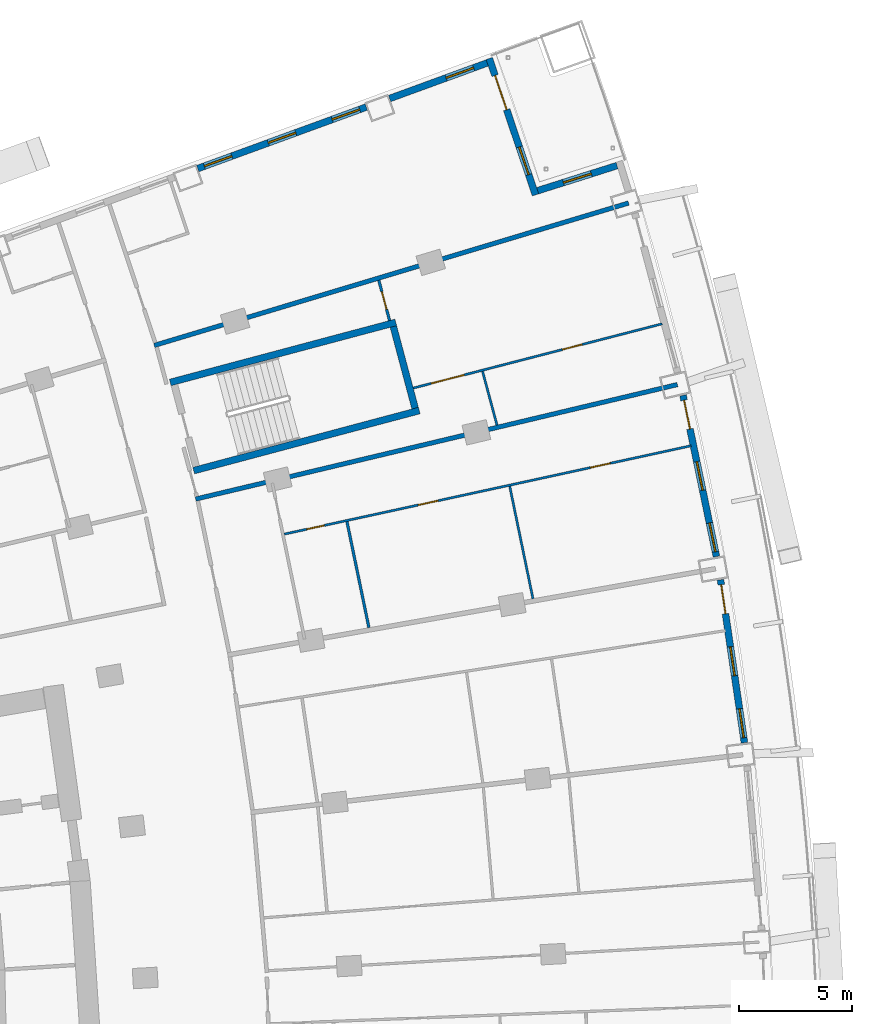
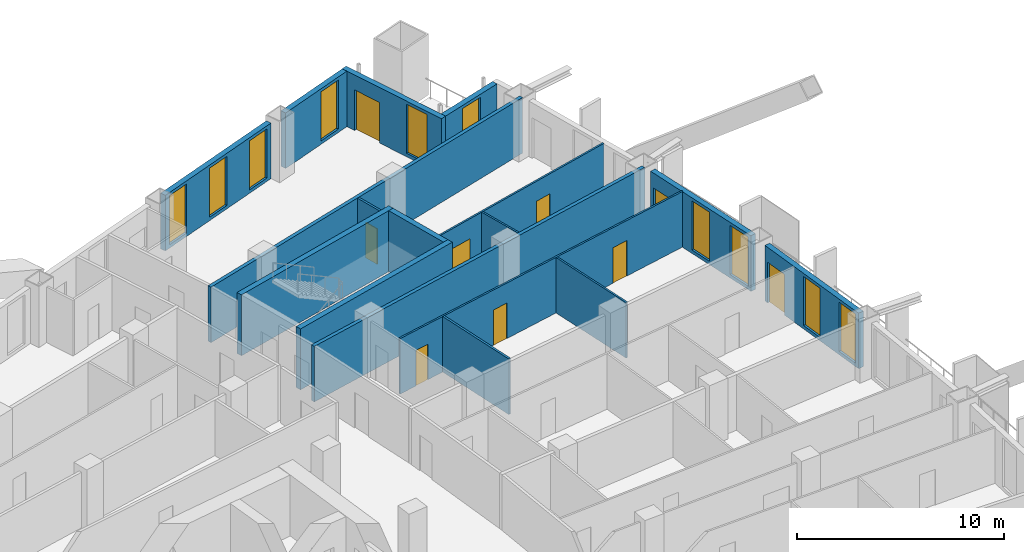
# One storey, part 21 of 25: 17 walls, 10 windows, 9 doors, 19 openings.
"""IFC4 building model written with IfcOpenShell, lengths in metres."""

from ifc_helpers import new_model, si_unit, direction, frame, frame_2d, origin, place, context, subcontext, project, spatial, rectangle, extrude, material, layer, layer_set, type_object, element, fill, save


model = new_model("IFC4")

# Units and contexts
model_context = context("Model", 3, precision=1e-05, world=origin(), true_north=direction((0.0, 1.0)))
body_context = subcontext(model_context, "Body", "Model", "MODEL_VIEW")
ifc_project = project(units=[si_unit("LENGTHUNIT", "METRE"), si_unit("AREAUNIT", "SQUARE_METRE"), si_unit("VOLUMEUNIT", "CUBIC_METRE"), si_unit("PLANEANGLEUNIT", "RADIAN"), si_unit("MASSUNIT", "GRAM", prefix="KILO")], contexts=[model_context])

# Site, building, storey
site_placement = place(None, origin())
site = spatial("IfcSite", under=ifc_project, at=site_placement, CompositionType="ELEMENT")
building_placement = place(site_placement, origin())
building = spatial("IfcBuilding", under=site, at=building_placement, Name="Alderwake Tower", CompositionType="ELEMENT")
storey_placement = place(building_placement, frame((0.0, 0.0, 42.800048828125)))
storey = spatial("IfcBuildingStorey", under=building, at=storey_placement, Name="L09", CompositionType="ELEMENT", Elevation=42.800048828125)

# Walls
ifc_material_1 = material(Name="Concrete C70/85", Category="concrete")
ifc_layer_1 = layer(ifc_material_1, 0.300048828125)
ifc_layer_set_1 = layer_set([ifc_layer_1], Name="Core wall stair enclosure 300 C70-85")
wall_type_1 = type_object("IfcWallType", Name="Core wall stair enclosure 300 C70-85", PredefinedType="SHEAR", material=ifc_layer_set_1)
for number, where, z_axis, x_axis, name in (
    (1, (36.71142578125, 94.182373046875, 0.0), (0.0, 0.0, 1.0), (0.966309214305, 0.257383958996, 0.0), "Core wall CW.082"),
    (2, (37.75390625, 90.268798828125, 0.0), (0.0, 0.0, 1.0), (0.966309214305, 0.257383958996, 0.0), "Core wall CW.084"),
):
    element("IfcWall", number, at=place(storey_placement, frame(where, z_axis=z_axis, x_axis=x_axis)), inside=storey, type_object=wall_type_1, Name=name, PredefinedType="SHEAR", context=body_context, shape_type="SweptSolid", body=[
        extrude(rectangle(XDim=10.360107421875, YDim=0.300048828125, at=frame_2d((5.18017578125, 0.0))), origin(), (0.0, 0.0, 1.0), 3.599853515625),
    ])
wall_1_placement = place(storey_placement, frame((47.581298828125, 93.041748046875, 0.0), z_axis=(0.0, 0.0, 1.0), x_axis=(-0.257366821694, 0.966313778796, 0.0)))
element("IfcWall", 3, at=wall_1_placement, inside=storey, type_object=wall_type_1, Name="Core wall CW.081", PredefinedType="SHEAR", context=body_context, shape_type="SweptSolid", body=[
    extrude(rectangle(XDim=3.749755859375, YDim=0.300048828125, at=frame_2d((1.875, 0.0))), origin(), (0.0, 0.0, 1.0), 3.599853515625),
])

# Wall, openings, door, windows
ifc_material_2 = material(Name="Precast concrete C50/60 spandrel panel", Category="concrete")
ifc_layer_2 = layer(ifc_material_2, 0.300048828125)
ifc_layer_set_2 = layer_set([ifc_layer_2], Name="External wall EW1 Precast concrete C50/60 spandrel")
wall_type_2 = type_object("IfcWallType", Name="External wall EW1 Precast concrete C50/60 spandrel", PredefinedType="SOLIDWALL", material=ifc_layer_set_2)
wall_2_placement = place(storey_placement, frame((62.199951171875, 78.193603515625, 0.0), z_axis=(0.0, 0.0, 1.0), x_axis=(-0.145326596696, 0.989383737633, 0.0)))
wall_2 = element("IfcWall", 4, at=wall_2_placement, inside=storey, type_object=wall_type_2, Name="External wall 19", PredefinedType="SOLIDWALL", context=body_context, shape_type="SweptSolid", body=[
    extrude(rectangle(XDim=7.30615234375, YDim=0.300048828125, at=frame_2d((3.653076171875, 0.0))), origin(), (0.0, 0.0, 1.0), 3.280029296875),
])
opening_1_placement = place(wall_2_placement, frame((0.222900390625, 0.0, 0.199951171875)))
opening_1 = element("IfcOpeningElement", 5, at=opening_1_placement, cuts=wall_2, Name="Opening W1", PredefinedType="OPENING", context=body_context, shape_type="SweptSolid", body=[
    extrude(rectangle(XDim=1.300048828125, YDim=2.89990234375, at=frame_2d((0.64990234375, 1.449951171875))), frame((0.0, 0.159912109375, 0.0), z_axis=(0.0, -1.0, 0.0), x_axis=(1.0, 0.0, 0.0)), (0.0, 0.0, 1.0), 0.320068359375),
])
opening_2_placement = place(wall_2_placement, frame((3.0029296875, 0.0, 0.199951171875)))
opening_2 = element("IfcOpeningElement", 6, at=opening_2_placement, cuts=wall_2, Name="Opening W1", PredefinedType="OPENING", context=body_context, shape_type="SweptSolid", body=[
    extrude(rectangle(XDim=1.300048828125, YDim=2.89990234375, at=frame_2d((0.64990234375, 1.449951171875))), frame((0.0, 0.159912109375, 0.0), z_axis=(0.0, -1.0, 0.0), x_axis=(1.0, 0.0, 0.0)), (0.0, 0.0, 1.0), 0.320068359375),
])
opening_3_placement = place(wall_2_placement, frame((5.783203125, 0.0, 0.0)))
opening_3 = element("IfcOpeningElement", 7, at=opening_3_placement, cuts=wall_2, Name="Opening D10", PredefinedType="OPENING", context=body_context, shape_type="SweptSolid", body=[
    extrude(rectangle(XDim=1.300048828125, YDim=2.39990234375, at=frame_2d((0.64990234375, 1.199951171875))), frame((0.0, 0.159912109375, 0.0), z_axis=(0.0, -1.0, 0.0), x_axis=(1.0, 0.0, 0.0)), (0.0, 0.0, 1.0), 0.320068359375),
])
ifc_material_3 = material(Name="Bronze tinted glass in aluminium frame", Category="aluminium")
door_type_1 = type_object("IfcDoorType", Name="Balcony door BD sliding", OperationType="SLIDING_TO_LEFT", PredefinedType="DOOR", material=ifc_material_3)
door_1_placement = place(opening_3_placement, origin())
door_1 = element("IfcDoor", 8, at=door_1_placement, inside=storey, type_object=door_type_1, Name="Door D10", OperationType="SLIDING_TO_LEFT", OverallHeight=2.39990234375, OverallWidth=1.300048828125, PredefinedType="DOOR", context=body_context, shape_type="SweptSolid", body=[
    extrude(rectangle(XDim=1.300048828125, YDim=2.39990234375, at=frame_2d((0.64990234375, 1.199951171875))), frame((0.0, 0.02490234375, 0.0), z_axis=(0.0, -1.0, 0.0), x_axis=(1.0, 0.0, 0.0)), (0.0, 0.0, 1.0), 0.050048828125),
])
fill(opening_3, door_1)
ifc_material_4 = material(Name="Bronze tinted glass in aluminium frame", Category="aluminium")
window_type = type_object("IfcWindowType", Name="Window W1 tall fixed and vent", PartitioningType="DOUBLE_PANEL_VERTICAL", PredefinedType="WINDOW", material=ifc_material_4)
window_1_placement = place(opening_1_placement, origin())
window_1 = element("IfcWindow", 9, at=window_1_placement, inside=storey, type_object=window_type, Name="Window W1 tall fixed and vent", OverallHeight=2.89990234375, OverallWidth=1.300048828125, PartitioningType="DOUBLE_PANEL_VERTICAL", PredefinedType="WINDOW", context=body_context, shape_type="SweptSolid", body=[
    extrude(rectangle(XDim=1.300048828125, YDim=2.89990234375, at=frame_2d((0.64990234375, 1.449951171875))), frame((0.0, 0.030029296875, 0.0), z_axis=(0.0, -1.0, 0.0), x_axis=(1.0, 0.0, 0.0)), (0.0, 0.0, 1.0), 0.06005859375),
])
fill(opening_1, window_1)
window_2_placement = place(opening_2_placement, origin())
window_2 = element("IfcWindow", 10, at=window_2_placement, inside=storey, type_object=window_type, Name="Window W1 tall fixed and vent", OverallHeight=2.89990234375, OverallWidth=1.300048828125, PartitioningType="DOUBLE_PANEL_VERTICAL", PredefinedType="WINDOW", context=body_context, shape_type="SweptSolid", body=[
    extrude(rectangle(XDim=1.300048828125, YDim=2.89990234375, at=frame_2d((0.64990234375, 1.449951171875))), frame((0.0, 0.030029296875, 0.0), z_axis=(0.0, -1.0, 0.0), x_axis=(1.0, 0.0, 0.0)), (0.0, 0.0, 1.0), 0.06005859375),
])
fill(opening_2, window_2)

wall_3_placement = place(storey_placement, frame((60.955810546875, 86.45458984375, 0.0), z_axis=(0.0, 0.0, 1.0), x_axis=(-0.202769138353, 0.979226570581, 0.0)))
wall_3 = element("IfcWall", 11, at=wall_3_placement, inside=storey, type_object=wall_type_2, Name="External wall 20", PredefinedType="SOLIDWALL", context=body_context, shape_type="SweptSolid", body=[
    extrude(rectangle(XDim=7.30615234375, YDim=0.300048828125, at=frame_2d((3.653076171875, 0.0))), origin(), (0.0, 0.0, 1.0), 3.280029296875),
])
opening_4_placement = place(wall_3_placement, frame((0.222900390625, 0.0, 0.199951171875)))
opening_4 = element("IfcOpeningElement", 12, at=opening_4_placement, cuts=wall_3, Name="Opening W1", PredefinedType="OPENING", context=body_context, shape_type="SweptSolid", body=[
    extrude(rectangle(XDim=1.300048828125, YDim=2.89990234375, at=frame_2d((0.64990234375, 1.449951171875))), frame((0.0, 0.159912109375, 0.0), z_axis=(0.0, -1.0, 0.0), x_axis=(1.0, 0.0, 0.0)), (0.0, 0.0, 1.0), 0.320068359375),
])
opening_5_placement = place(wall_3_placement, frame((3.0029296875, 0.0, 0.199951171875)))
opening_5 = element("IfcOpeningElement", 13, at=opening_5_placement, cuts=wall_3, Name="Opening W1", PredefinedType="OPENING", context=body_context, shape_type="SweptSolid", body=[
    extrude(rectangle(XDim=1.300048828125, YDim=2.89990234375, at=frame_2d((0.64990234375, 1.449951171875))), frame((0.0, 0.159912109375, 0.0), z_axis=(0.0, -1.0, 0.0), x_axis=(1.0, 0.0, 0.0)), (0.0, 0.0, 1.0), 0.320068359375),
])
opening_6_placement = place(wall_3_placement, frame((5.783203125, 0.0, 0.0)))
opening_6 = element("IfcOpeningElement", 14, at=opening_6_placement, cuts=wall_3, Name="Opening D11", PredefinedType="OPENING", context=body_context, shape_type="SweptSolid", body=[
    extrude(rectangle(XDim=1.300048828125, YDim=2.39990234375, at=frame_2d((0.64990234375, 1.199951171875))), frame((0.0, 0.159912109375, 0.0), z_axis=(0.0, -1.0, 0.0), x_axis=(1.0, 0.0, 0.0)), (0.0, 0.0, 1.0), 0.320068359375),
])
door_2_placement = place(opening_6_placement, origin())
door_2 = element("IfcDoor", 15, at=door_2_placement, inside=storey, type_object=door_type_1, Name="Door D11", OperationType="SLIDING_TO_LEFT", OverallHeight=2.39990234375, OverallWidth=1.300048828125, PredefinedType="DOOR", context=body_context, shape_type="SweptSolid", body=[
    extrude(rectangle(XDim=1.300048828125, YDim=2.39990234375, at=frame_2d((0.64990234375, 1.199951171875))), frame((0.0, 0.02490234375, 0.0), z_axis=(0.0, -1.0, 0.0), x_axis=(1.0, 0.0, 0.0)), (0.0, 0.0, 1.0), 0.050048828125),
])
fill(opening_6, door_2)
window_3_placement = place(opening_4_placement, origin())
window_3 = element("IfcWindow", 16, at=window_3_placement, inside=storey, type_object=window_type, Name="Window W1 tall fixed and vent", OverallHeight=2.89990234375, OverallWidth=1.300048828125, PartitioningType="DOUBLE_PANEL_VERTICAL", PredefinedType="WINDOW", context=body_context, shape_type="SweptSolid", body=[
    extrude(rectangle(XDim=1.300048828125, YDim=2.89990234375, at=frame_2d((0.64990234375, 1.449951171875))), frame((0.0, 0.030029296875, 0.0), z_axis=(0.0, -1.0, 0.0), x_axis=(1.0, 0.0, 0.0)), (0.0, 0.0, 1.0), 0.06005859375),
])
fill(opening_4, window_3)
window_4_placement = place(opening_5_placement, origin())
window_4 = element("IfcWindow", 17, at=window_4_placement, inside=storey, type_object=window_type, Name="Window W1 tall fixed and vent", OverallHeight=2.89990234375, OverallWidth=1.300048828125, PartitioningType="DOUBLE_PANEL_VERTICAL", PredefinedType="WINDOW", context=body_context, shape_type="SweptSolid", body=[
    extrude(rectangle(XDim=1.300048828125, YDim=2.89990234375, at=frame_2d((0.64990234375, 1.449951171875))), frame((0.0, 0.030029296875, 0.0), z_axis=(0.0, -1.0, 0.0), x_axis=(1.0, 0.0, 0.0)), (0.0, 0.0, 1.0), 0.06005859375),
])
fill(opening_5, window_4)

# Wall, opening, window
ifc_material_5 = material(Name="Bronze metal cladding on lightweight framing")
ifc_layer_3 = layer(ifc_material_5, 0.300048828125)
ifc_layer_set_3 = layer_set([ifc_layer_3], Name="External wall EW2 bronze metal cladding")
wall_type_3 = type_object("IfcWallType", Name="External wall EW2 bronze metal cladding", PredefinedType="SOLIDWALL", material=ifc_layer_set_3)
wall_4_placement = place(storey_placement, frame((56.544677734375, 103.80810546875, 0.0), z_axis=(0.0, 0.0, 1.0), x_axis=(-0.953466730622, -0.301498248083, 0.0)))
wall_4 = element("IfcWall", 18, at=wall_4_placement, inside=storey, type_object=wall_type_3, Name="External wall 23", PredefinedType="SOLIDWALL", context=body_context, shape_type="SweptSolid", body=[
    extrude(rectangle(XDim=3.694091796875, YDim=0.300048828125, at=frame_2d((1.84716796875, 0.0))), origin(), (0.0, 0.0, 1.0), 3.280029296875),
])
opening_7_placement = place(wall_4_placement, frame((1.197021484375, 0.0, 0.199951171875)))
opening_7 = element("IfcOpeningElement", 19, at=opening_7_placement, cuts=wall_4, Name="Opening W1", PredefinedType="OPENING", context=body_context, shape_type="SweptSolid", body=[
    extrude(rectangle(XDim=1.300048828125, YDim=2.89990234375, at=frame_2d((0.64990234375, 1.449951171875))), frame((0.0, 0.159912109375, 0.0), z_axis=(0.0, -1.0, 0.0), x_axis=(1.0, 0.0, 0.0)), (0.0, 0.0, 1.0), 0.320068359375),
])
window_5_placement = place(opening_7_placement, origin())
window_5 = element("IfcWindow", 20, at=window_5_placement, inside=storey, type_object=window_type, Name="Window W1 tall fixed and vent", OverallHeight=2.89990234375, OverallWidth=1.300048828125, PartitioningType="DOUBLE_PANEL_VERTICAL", PredefinedType="WINDOW", context=body_context, shape_type="SweptSolid", body=[
    extrude(rectangle(XDim=1.300048828125, YDim=2.89990234375, at=frame_2d((0.64990234375, 1.449951171875))), frame((0.0, 0.030029296875, 0.0), z_axis=(0.0, -1.0, 0.0), x_axis=(1.0, 0.0, 0.0)), (0.0, 0.0, 1.0), 0.06005859375),
])
fill(opening_7, window_5)

# Wall, openings, door, window
wall_5_placement = place(storey_placement, frame((52.927490234375, 102.507080078125, 0.0), z_axis=(0.0, 0.0, 1.0), x_axis=(-0.320933594425, 0.947101698853, 0.0)))
wall_5 = element("IfcWall", 21, at=wall_5_placement, inside=storey, type_object=wall_type_3, Name="External wall 24", PredefinedType="SOLIDWALL", context=body_context, shape_type="SweptSolid", body=[
    extrude(rectangle(XDim=6.3916015625, YDim=0.300048828125, at=frame_2d((3.19580078125, 0.0))), origin(), (0.0, 0.0, 1.0), 3.280029296875),
])
opening_8_placement = place(wall_5_placement, frame((0.947998046875, 0.0, 0.199951171875)))
opening_8 = element("IfcOpeningElement", 22, at=opening_8_placement, cuts=wall_5, Name="Opening W1", PredefinedType="OPENING", context=body_context, shape_type="SweptSolid", body=[
    extrude(rectangle(XDim=1.300048828125, YDim=2.89990234375, at=frame_2d((0.64990234375, 1.449951171875))), frame((0.0, 0.159912109375, 0.0), z_axis=(0.0, -1.0, 0.0), x_axis=(1.0, 0.0, 0.0)), (0.0, 0.0, 1.0), 0.320068359375),
])
opening_9_placement = place(wall_5_placement, frame((3.993896484375, 0.0, 0.0)))
opening_9 = element("IfcOpeningElement", 23, at=opening_9_placement, cuts=wall_5, Name="Opening D13", PredefinedType="OPENING", context=body_context, shape_type="SweptSolid", body=[
    extrude(rectangle(XDim=1.60009765625, YDim=2.39990234375, at=frame_2d((0.800048828125, 1.199951171875))), frame((0.0, 0.159912109375, 0.0), z_axis=(0.0, -1.0, 0.0), x_axis=(1.0, 0.0, 0.0)), (0.0, 0.0, 1.0), 0.320068359375),
])
ifc_material_6 = material(Name="Bronze tinted glass in aluminium frame", Category="aluminium")
door_type_2 = type_object("IfcDoorType", Name="Terrace door TD sliding", OperationType="SLIDING_TO_LEFT", PredefinedType="DOOR", material=ifc_material_6)
door_3_placement = place(opening_9_placement, origin())
door_3 = element("IfcDoor", 24, at=door_3_placement, inside=storey, type_object=door_type_2, Name="Door D13", OperationType="SLIDING_TO_LEFT", OverallHeight=2.39990234375, OverallWidth=1.60009765625, PredefinedType="DOOR", context=body_context, shape_type="SweptSolid", body=[
    extrude(rectangle(XDim=1.60009765625, YDim=2.39990234375, at=frame_2d((0.800048828125, 1.199951171875))), frame((0.0, 0.02490234375, 0.0), z_axis=(0.0, -1.0, 0.0), x_axis=(1.0, 0.0, 0.0)), (0.0, 0.0, 1.0), 0.050048828125),
])
fill(opening_9, door_3)
window_6_placement = place(opening_8_placement, origin())
window_6 = element("IfcWindow", 25, at=window_6_placement, inside=storey, type_object=window_type, Name="Window W1 tall fixed and vent", OverallHeight=2.89990234375, OverallWidth=1.300048828125, PartitioningType="DOUBLE_PANEL_VERTICAL", PredefinedType="WINDOW", context=body_context, shape_type="SweptSolid", body=[
    extrude(rectangle(XDim=1.300048828125, YDim=2.89990234375, at=frame_2d((0.64990234375, 1.449951171875))), frame((0.0, 0.030029296875, 0.0), z_axis=(0.0, -1.0, 0.0), x_axis=(1.0, 0.0, 0.0)), (0.0, 0.0, 1.0), 0.06005859375),
])
fill(opening_8, window_6)

# Wall, opening, window
wall_6_placement = place(storey_placement, frame((50.78369140625, 108.3671875, 0.0), z_axis=(0.0, 0.0, 1.0), x_axis=(-0.939364626907, -0.342919958177, 0.0)))
wall_6 = element("IfcWall", 26, at=wall_6_placement, inside=storey, type_object=wall_type_3, Name="External wall 25", PredefinedType="SOLIDWALL", context=body_context, shape_type="SweptSolid", body=[
    extrude(rectangle(XDim=4.61279296875, YDim=0.300048828125, at=frame_2d((2.306396484375, 0.0))), origin(), (0.0, 0.0, 1.0), 3.280029296875),
])
opening_10_placement = place(wall_6_placement, frame((0.64111328125, 0.0, 0.199951171875)))
opening_10 = element("IfcOpeningElement", 27, at=opening_10_placement, cuts=wall_6, Name="Opening W1", PredefinedType="OPENING", context=body_context, shape_type="SweptSolid", body=[
    extrude(rectangle(XDim=1.300048828125, YDim=2.89990234375, at=frame_2d((0.64990234375, 1.449951171875))), frame((0.0, 0.159912109375, 0.0), z_axis=(0.0, -1.0, 0.0), x_axis=(1.0, 0.0, 0.0)), (0.0, 0.0, 1.0), 0.320068359375),
])
window_7_placement = place(opening_10_placement, origin())
window_7 = element("IfcWindow", 28, at=window_7_placement, inside=storey, type_object=window_type, Name="Window W1 tall fixed and vent", OverallHeight=2.89990234375, OverallWidth=1.300048828125, PartitioningType="DOUBLE_PANEL_VERTICAL", PredefinedType="WINDOW", context=body_context, shape_type="SweptSolid", body=[
    extrude(rectangle(XDim=1.300048828125, YDim=2.89990234375, at=frame_2d((0.64990234375, 1.449951171875))), frame((0.0, 0.030029296875, 0.0), z_axis=(0.0, -1.0, 0.0), x_axis=(1.0, 0.0, 0.0)), (0.0, 0.0, 1.0), 0.06005859375),
])
fill(opening_10, window_7)

# Wall, openings, windows
wall_7_placement = place(storey_placement, frame((45.41357421875, 106.406982421875, 0.0), z_axis=(0.0, 0.0, 1.0), x_axis=(-0.939370174945, -0.34290475999, 0.0)))
wall_7 = element("IfcWall", 29, at=wall_7_placement, inside=storey, type_object=wall_type_3, Name="External wall 26", PredefinedType="SOLIDWALL", context=body_context, shape_type="SweptSolid", body=[
    extrude(rectangle(XDim=7.962646484375, YDim=0.300048828125, at=frame_2d((3.9814453125, 0.0))), origin(), (0.0, 0.0, 1.0), 3.280029296875),
])
opening_11_placement = place(wall_7_placement, frame((0.30908203125, 0.0, 0.199951171875)))
opening_11 = element("IfcOpeningElement", 30, at=opening_11_placement, cuts=wall_7, Name="Opening W1", PredefinedType="OPENING", context=body_context, shape_type="SweptSolid", body=[
    extrude(rectangle(XDim=1.300048828125, YDim=2.89990234375, at=frame_2d((0.64990234375, 1.449951171875))), frame((0.0, 0.159912109375, 0.0), z_axis=(0.0, -1.0, 0.0), x_axis=(1.0, 0.0, 0.0)), (0.0, 0.0, 1.0), 0.320068359375),
])
opening_12_placement = place(wall_7_placement, frame((3.331298828125, 0.0, 0.199951171875)))
opening_12 = element("IfcOpeningElement", 31, at=opening_12_placement, cuts=wall_7, Name="Opening W1", PredefinedType="OPENING", context=body_context, shape_type="SweptSolid", body=[
    extrude(rectangle(XDim=1.300048828125, YDim=2.89990234375, at=frame_2d((0.64990234375, 1.449951171875))), frame((0.0, 0.159912109375, 0.0), z_axis=(0.0, -1.0, 0.0), x_axis=(1.0, 0.0, 0.0)), (0.0, 0.0, 1.0), 0.320068359375),
])
opening_13_placement = place(wall_7_placement, frame((6.353515625, 0.0, 0.199951171875)))
opening_13 = element("IfcOpeningElement", 32, at=opening_13_placement, cuts=wall_7, Name="Opening W1", PredefinedType="OPENING", context=body_context, shape_type="SweptSolid", body=[
    extrude(rectangle(XDim=1.300048828125, YDim=2.89990234375, at=frame_2d((0.64990234375, 1.449951171875))), frame((0.0, 0.159912109375, 0.0), z_axis=(0.0, -1.0, 0.0), x_axis=(1.0, 0.0, 0.0)), (0.0, 0.0, 1.0), 0.320068359375),
])
window_8_placement = place(opening_11_placement, origin())
window_8 = element("IfcWindow", 33, at=window_8_placement, inside=storey, type_object=window_type, Name="Window W1 tall fixed and vent", OverallHeight=2.89990234375, OverallWidth=1.300048828125, PartitioningType="DOUBLE_PANEL_VERTICAL", PredefinedType="WINDOW", context=body_context, shape_type="SweptSolid", body=[
    extrude(rectangle(XDim=1.300048828125, YDim=2.89990234375, at=frame_2d((0.64990234375, 1.449951171875))), frame((0.0, 0.030029296875, 0.0), z_axis=(0.0, -1.0, 0.0), x_axis=(1.0, 0.0, 0.0)), (0.0, 0.0, 1.0), 0.06005859375),
])
fill(opening_11, window_8)
window_9_placement = place(opening_12_placement, origin())
window_9 = element("IfcWindow", 34, at=window_9_placement, inside=storey, type_object=window_type, Name="Window W1 tall fixed and vent", OverallHeight=2.89990234375, OverallWidth=1.300048828125, PartitioningType="DOUBLE_PANEL_VERTICAL", PredefinedType="WINDOW", context=body_context, shape_type="SweptSolid", body=[
    extrude(rectangle(XDim=1.300048828125, YDim=2.89990234375, at=frame_2d((0.64990234375, 1.449951171875))), frame((0.0, 0.030029296875, 0.0), z_axis=(0.0, -1.0, 0.0), x_axis=(1.0, 0.0, 0.0)), (0.0, 0.0, 1.0), 0.06005859375),
])
fill(opening_12, window_9)
window_10_placement = place(opening_13_placement, origin())
window_10 = element("IfcWindow", 35, at=window_10_placement, inside=storey, type_object=window_type, Name="Window W1 tall fixed and vent", OverallHeight=2.89990234375, OverallWidth=1.300048828125, PartitioningType="DOUBLE_PANEL_VERTICAL", PredefinedType="WINDOW", context=body_context, shape_type="SweptSolid", body=[
    extrude(rectangle(XDim=1.300048828125, YDim=2.89990234375, at=frame_2d((0.64990234375, 1.449951171875))), frame((0.0, 0.030029296875, 0.0), z_axis=(0.0, -1.0, 0.0), x_axis=(1.0, 0.0, 0.0)), (0.0, 0.0, 1.0), 0.06005859375),
])
fill(opening_13, window_10)

# Walls
ifc_material_7 = material(Name="Dense block masonry wall", Category="masonry")
ifc_layer_4 = layer(ifc_material_7, 0.199951171875)
ifc_layer_set_4 = layer_set([ifc_layer_4], Name="Party wall 200")
wall_type_4 = type_object("IfcWallType", Name="Party wall 200", PredefinedType="SOLIDWALL", material=ifc_layer_set_4)
wall_8_placement = place(storey_placement, frame((37.839111328125, 89.006591796875, 0.0), z_axis=(0.0, 0.0, 1.0), x_axis=(0.972896955684, 0.231239083247, 0.0)))
element("IfcWall", 36, at=wall_8_placement, inside=storey, type_object=wall_type_4, Name="WL/L09/W05", PredefinedType="SOLIDWALL", context=body_context, shape_type="SweptSolid", body=[
    extrude(rectangle(XDim=21.9794921875, YDim=0.199951171875, at=frame_2d((10.98974609375, 0.0))), origin(), (0.0, 0.0, 1.0), 3.280029296875),
])
wall_9_placement = place(storey_placement, frame((57.056884765625, 102.14697265625, 0.0), z_axis=(0.0, 0.0, 1.0), x_axis=(-0.957772159576, -0.287528242685, 0.0)))
element("IfcWall", 37, at=wall_9_placement, inside=storey, type_object=wall_type_4, Name="WL/L09/W07", PredefinedType="SOLIDWALL", context=body_context, shape_type="SweptSolid", body=[
    extrude(rectangle(XDim=21.980712890625, YDim=0.199951171875, at=frame_2d((10.990234375, 0.0))), origin(), (0.0, 0.0, 1.0), 3.280029296875),
])

# Wall, openings, doors
ifc_material_8 = material(Name="Gypsum board on metal studs")
ifc_layer_5 = layer(ifc_material_8, 0.10009765625)
ifc_layer_set_5 = layer_set([ifc_layer_5], Name="Unit partition 100")
wall_type_5 = type_object("IfcWallType", Name="Unit partition 100", PredefinedType="PARTITIONING", material=ifc_layer_set_5)
wall_10_placement = place(storey_placement, frame((59.8349609375, 91.3740234375, 0.0), z_axis=(0.0, 0.0, 1.0), x_axis=(-0.977210328397, -0.212273347536, 0.0)))
wall_10 = element("IfcWall", 38, at=wall_10_placement, inside=storey, type_object=wall_type_5, Name="WL/L09/W73", PredefinedType="PARTITIONING", context=body_context, shape_type="SweptSolid", body=[
    extrude(rectangle(XDim=18.482421875, YDim=0.10009765625, at=frame_2d((9.2412109375, 0.0))), origin(), (0.0, 0.0, 1.0), 3.280029296875),
])
opening_14_placement = place(wall_10_placement, frame((11.498291015625, 0.0, 0.0)))
opening_14 = element("IfcOpeningElement", 39, at=opening_14_placement, cuts=wall_10, Name="Opening R02-U10.1", PredefinedType="OPENING", context=body_context, shape_type="SweptSolid", body=[
    extrude(rectangle(XDim=0.89990234375, YDim=2.10009765625, at=frame_2d((0.449951171875, 1.050048828125))), frame((0.0, 0.06005859375, 0.0), z_axis=(0.0, -1.0, 0.0), x_axis=(1.0, 0.0, 0.0)), (0.0, 0.0, 1.0), 0.1201171875),
])
opening_15_placement = place(wall_10_placement, frame((16.663330078125, 0.0, 0.0)))
opening_15 = element("IfcOpeningElement", 40, at=opening_15_placement, cuts=wall_10, Name="Opening R02-U10.4", PredefinedType="OPENING", context=body_context, shape_type="SweptSolid", body=[
    extrude(rectangle(XDim=0.800048828125, YDim=2.10009765625, at=frame_2d((0.39990234375, 1.050048828125))), frame((0.0, 0.06005859375, 0.0), z_axis=(0.0, -1.0, 0.0), x_axis=(1.0, 0.0, 0.0)), (0.0, 0.0, 1.0), 0.1201171875),
])
opening_16_placement = place(wall_10_placement, frame((3.67626953125, 0.0, 0.0)))
opening_16 = element("IfcOpeningElement", 41, at=opening_16_placement, cuts=wall_10, Name="Opening R02-U10.5", PredefinedType="OPENING", context=body_context, shape_type="SweptSolid", body=[
    extrude(rectangle(XDim=0.89990234375, YDim=2.10009765625, at=frame_2d((0.449951171875, 1.050048828125))), frame((0.0, 0.06005859375, 0.0), z_axis=(0.0, -1.0, 0.0), x_axis=(1.0, 0.0, 0.0)), (0.0, 0.0, 1.0), 0.1201171875),
])
ifc_material_9 = material(Name="Painted timber leaf", Category="wood")
door_type_3 = type_object("IfcDoorType", Name="Bathroom door 800", OperationType="SINGLE_SWING_LEFT", PredefinedType="DOOR", material=ifc_material_9)
door_4_placement = place(opening_15_placement, origin())
door_4 = element("IfcDoor", 42, at=door_4_placement, inside=storey, type_object=door_type_3, Name="DR/L09/U10.4", OperationType="SINGLE_SWING_LEFT", OverallHeight=2.10009765625, OverallWidth=0.800048828125, PredefinedType="DOOR", context=body_context, shape_type="SweptSolid", body=[
    extrude(rectangle(XDim=0.800048828125, YDim=2.10009765625, at=frame_2d((0.39990234375, 1.050048828125))), frame((0.0, 0.02490234375, 0.0), z_axis=(0.0, -1.0, 0.0), x_axis=(1.0, 0.0, 0.0)), (0.0, 0.0, 1.0), 0.050048828125),
])
fill(opening_15, door_4)
ifc_material_10 = material(Name="Painted timber leaf", Category="wood")
door_type_4 = type_object("IfcDoorType", Name="Room door 900", OperationType="SINGLE_SWING_LEFT", PredefinedType="DOOR", material=ifc_material_10)
door_5_placement = place(opening_14_placement, origin())
door_5 = element("IfcDoor", 43, at=door_5_placement, inside=storey, type_object=door_type_4, Name="DR/L09/U10.1", OperationType="SINGLE_SWING_LEFT", OverallHeight=2.10009765625, OverallWidth=0.89990234375, PredefinedType="DOOR", context=body_context, shape_type="SweptSolid", body=[
    extrude(rectangle(XDim=0.89990234375, YDim=2.10009765625, at=frame_2d((0.449951171875, 1.050048828125))), frame((0.0, 0.02490234375, 0.0), z_axis=(0.0, -1.0, 0.0), x_axis=(1.0, 0.0, 0.0)), (0.0, 0.0, 1.0), 0.050048828125),
])
fill(opening_14, door_5)
door_6_placement = place(opening_16_placement, origin())
door_6 = element("IfcDoor", 44, at=door_6_placement, inside=storey, type_object=door_type_4, Name="DR/L09/U10.5", OperationType="SINGLE_SWING_LEFT", OverallHeight=2.10009765625, OverallWidth=0.89990234375, PredefinedType="DOOR", context=body_context, shape_type="SweptSolid", body=[
    extrude(rectangle(XDim=0.89990234375, YDim=2.10009765625, at=frame_2d((0.449951171875, 1.050048828125))), frame((0.0, 0.02490234375, 0.0), z_axis=(0.0, -1.0, 0.0), x_axis=(1.0, 0.0, 0.0)), (0.0, 0.0, 1.0), 0.050048828125),
])
fill(opening_16, door_6)

wall_11_placement = place(storey_placement, frame((47.4990234375, 93.93310546875, 0.0), z_axis=(0.0, 0.0, 1.0), x_axis=(0.968247427207, 0.249993839338, 0.0)))
wall_11 = element("IfcWall", 45, at=wall_11_placement, inside=storey, type_object=wall_type_5, Name="WL/L09/W76", PredefinedType="PARTITIONING", context=body_context, shape_type="SweptSolid", body=[
    extrude(rectangle(XDim=11.411376953125, YDim=0.10009765625, at=frame_2d((5.70556640625, 0.0))), origin(), (0.0, 0.0, 1.0), 3.280029296875),
])
opening_17_placement = place(wall_11_placement, frame((0.831787109375, 0.0, 0.0)))
opening_17 = element("IfcOpeningElement", 46, at=opening_17_placement, cuts=wall_11, Name="Opening R02-U02.2", PredefinedType="OPENING", context=body_context, shape_type="SweptSolid", body=[
    extrude(rectangle(XDim=1.5, YDim=2.10009765625, at=frame_2d((0.75, 1.050048828125))), frame((0.0, 0.06005859375, 0.0), z_axis=(0.0, -1.0, 0.0), x_axis=(1.0, 0.0, 0.0)), (0.0, 0.0, 1.0), 0.1201171875),
])
opening_18_placement = place(wall_11_placement, frame((6.83740234375, 0.0, 0.0)))
opening_18 = element("IfcOpeningElement", 47, at=opening_18_placement, cuts=wall_11, Name="Opening R02-U02.3", PredefinedType="OPENING", context=body_context, shape_type="SweptSolid", body=[
    extrude(rectangle(XDim=0.89990234375, YDim=2.10009765625, at=frame_2d((0.449951171875, 1.050048828125))), frame((0.0, 0.06005859375, 0.0), z_axis=(0.0, -1.0, 0.0), x_axis=(1.0, 0.0, 0.0)), (0.0, 0.0, 1.0), 0.1201171875),
])
ifc_material_11 = material(Name="Painted timber leaves", Category="wood")
door_type_5 = type_object("IfcDoorType", Name="Double leaf door 1500", OperationType="DOUBLE_DOOR_SINGLE_SWING", PredefinedType="DOOR", material=ifc_material_11)
door_7_placement = place(opening_17_placement, origin())
door_7 = element("IfcDoor", 48, at=door_7_placement, inside=storey, type_object=door_type_5, Name="DR/L09/U02.2", OperationType="DOUBLE_DOOR_SINGLE_SWING", OverallHeight=2.10009765625, OverallWidth=1.5, PredefinedType="DOOR", context=body_context, shape_type="SweptSolid", body=[
    extrude(rectangle(XDim=1.5, YDim=2.10009765625, at=frame_2d((0.75, 1.050048828125))), frame((0.0, 0.02490234375, 0.0), z_axis=(0.0, -1.0, 0.0), x_axis=(1.0, 0.0, 0.0)), (0.0, 0.0, 1.0), 0.050048828125),
])
fill(opening_17, door_7)
door_8_placement = place(opening_18_placement, origin())
door_8 = element("IfcDoor", 49, at=door_8_placement, inside=storey, type_object=door_type_4, Name="DR/L09/U02.3", OperationType="SINGLE_SWING_LEFT", OverallHeight=2.10009765625, OverallWidth=0.89990234375, PredefinedType="DOOR", context=body_context, shape_type="SweptSolid", body=[
    extrude(rectangle(XDim=0.89990234375, YDim=2.10009765625, at=frame_2d((0.449951171875, 1.050048828125))), frame((0.0, 0.02490234375, 0.0), z_axis=(0.0, -1.0, 0.0), x_axis=(1.0, 0.0, 0.0)), (0.0, 0.0, 1.0), 0.050048828125),
])
fill(opening_18, door_8)

# Walls
wall_12_placement = place(storey_placement, frame((51.217041015625, 92.28662109375, 0.0), z_axis=(0.0, 0.0, 1.0), x_axis=(-0.259442778972, 0.965758481422, 0.0)))
element("IfcWall", 50, at=wall_12_placement, inside=storey, type_object=wall_type_5, Name="WL/L09/W82", PredefinedType="PARTITIONING", context=body_context, shape_type="SweptSolid", body=[
    extrude(rectangle(XDim=2.474853515625, YDim=0.10009765625, at=frame_2d((1.2373046875, 0.0))), origin(), (0.0, 0.0, 1.0), 3.280029296875),
])
wall_13_placement = place(storey_placement, frame((52.812744140625, 84.583984375, 0.0), z_axis=(0.0, 0.0, 1.0), x_axis=(-0.202516863468, 0.979278775432, 0.0)))
element("IfcWall", 51, at=wall_13_placement, inside=storey, type_object=wall_type_5, Name="WL/L09/W87", PredefinedType="PARTITIONING", context=body_context, shape_type="SweptSolid", body=[
    extrude(rectangle(XDim=5.094482421875, YDim=0.10009765625, at=frame_2d((2.54736328125, 0.0))), origin(), (0.0, 0.0, 1.0), 3.280029296875),
])
ifc_material_12 = material(Name="Moisture resistant gypsum board on metal studs")
ifc_layer_6 = layer(ifc_material_12, 0.1201171875)
ifc_layer_set_6 = layer_set([ifc_layer_6], Name="Wet room partition 120")
wall_type_6 = type_object("IfcWallType", Name="Wet room partition 120", PredefinedType="PARTITIONING", material=ifc_layer_set_6)
wall_14_placement = place(storey_placement, frame((45.53173828125, 83.297119140625, 0.0), z_axis=(0.0, 0.0, 1.0), x_axis=(-0.202763480801, 0.979227742077, 0.0)))
element("IfcWall", 52, at=wall_14_placement, inside=storey, type_object=wall_type_6, Name="WL/L09/W60", PredefinedType="PARTITIONING", context=body_context, shape_type="SweptSolid", body=[
    extrude(rectangle(XDim=4.806640625, YDim=0.1201171875, at=frame_2d((2.4033203125, 0.0))), origin(), (0.0, 0.0, 1.0), 3.280029296875),
])

# Wall, opening, door
wall_15_placement = place(storey_placement, frame((46.448974609375, 96.929931640625, 0.0), z_axis=(0.0, 0.0, 1.0), x_axis=(-0.258764710752, 0.965940383497, 0.0)))
wall_15 = element("IfcWall", 53, at=wall_15_placement, inside=storey, type_object=wall_type_6, Name="WL/L09/W61", PredefinedType="PARTITIONING", context=body_context, shape_type="SweptSolid", body=[
    extrude(rectangle(XDim=1.847412109375, YDim=0.1201171875, at=frame_2d((0.923828125, 0.0))), origin(), (0.0, 0.0, 1.0), 3.280029296875),
])
opening_19_placement = place(wall_15_placement, frame((0.524169921875, 0.0, 0.0)))
opening_19 = element("IfcOpeningElement", 54, at=opening_19_placement, cuts=wall_15, Name="Opening R02-U02.4", PredefinedType="OPENING", context=body_context, shape_type="SweptSolid", body=[
    extrude(rectangle(XDim=0.800048828125, YDim=2.10009765625, at=frame_2d((0.39990234375, 1.050048828125))), frame((0.0, 0.070068359375, 0.0), z_axis=(0.0, -1.0, 0.0), x_axis=(1.0, 0.0, 0.0)), (0.0, 0.0, 1.0), 0.14013671875),
])
door_9_placement = place(opening_19_placement, origin())
door_9 = element("IfcDoor", 55, at=door_9_placement, inside=storey, type_object=door_type_3, Name="DR/L09/U02.4", OperationType="SINGLE_SWING_LEFT", OverallHeight=2.10009765625, OverallWidth=0.800048828125, PredefinedType="DOOR", context=body_context, shape_type="SweptSolid", body=[
    extrude(rectangle(XDim=0.800048828125, YDim=2.10009765625, at=frame_2d((0.39990234375, 1.050048828125))), frame((0.0, 0.02490234375, 0.0), z_axis=(0.0, -1.0, 0.0), x_axis=(1.0, 0.0, 0.0)), (0.0, 0.0, 1.0), 0.050048828125),
])
fill(opening_19, door_9)

save(model, "model.ifc")
